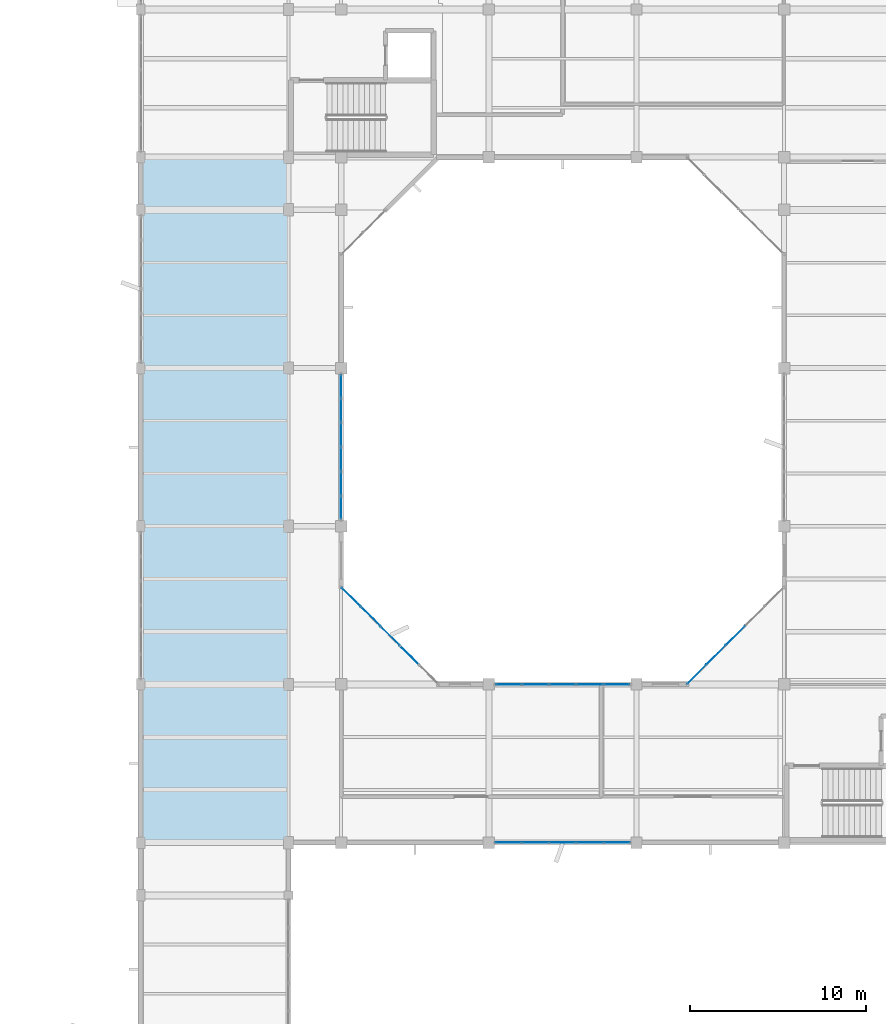
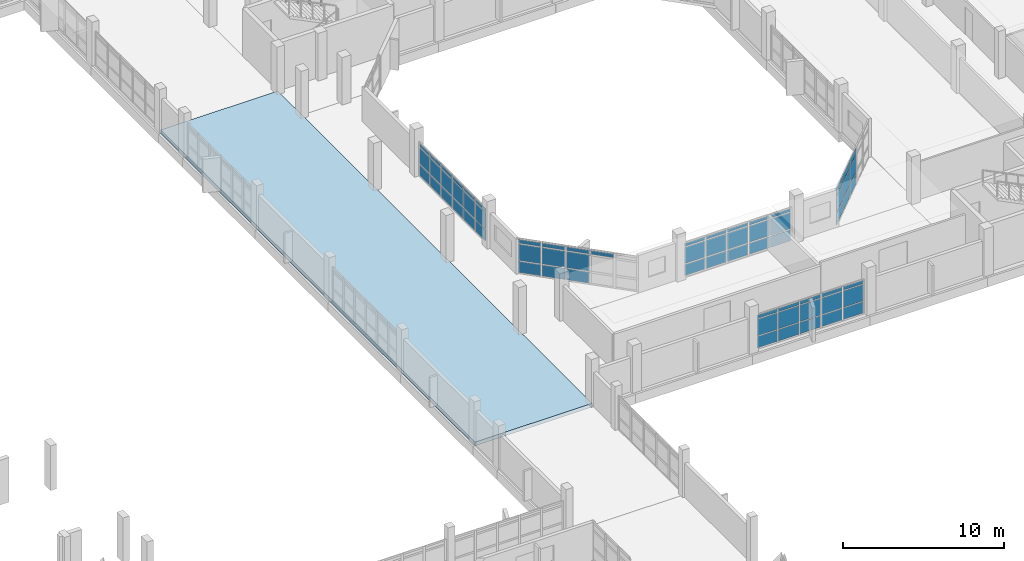
# One storey, part 52 of 104: 67 plates, 1 slab, 5 elements without a shape of their own.
"""IFC4 building model written with IfcOpenShell, lengths in metres."""

import ifcopenshell
import ifcopenshell.guid

model = None  # the IFC model being written
_history = None  # IfcOwnerHistory: only IFC2X3 demands one
_inside = {}  # id of a spatial element -> (the spatial element, [elements in it])
_under = {}  # id of a project, library or spatial element -> (it, [spatial elements below it])
_declared = {}  # id of a project -> (the project, [libraries it declares])
_typed = {}  # id of a type object -> (the type object, [elements of that type])
_made_of = {}  # id of a material, layer set ... -> (it, [elements and type objects made of it])


def new_model(schema):
    """Start an empty IFC model of exactly this schema.

    Asked for "IFC4X3", IfcOpenShell would pick the latest addendum, in which some entities
    have other attributes; the version numbers below select the first issue.
    IFC2X3 requires an IfcOwnerHistory on every rooted entity: one is made here for all.
    """
    global model, _history
    if schema == "IFC4X3":
        model = ifcopenshell.file(schema_version=(4, 3, 0, 0))
    else:
        model = ifcopenshell.file(schema=schema)
    _inside.clear()
    _under.clear()
    _declared.clear()
    _typed.clear()
    _made_of.clear()
    _history = None
    if model.schema == "IFC2X3":
        org = make("IfcOrganization", Name="unknown")
        user = make(
            "IfcPersonAndOrganization",
            ThePerson=make("IfcPerson", FamilyName="unknown"),
            TheOrganization=org,
        )
        app = make(
            "IfcApplication",
            ApplicationDeveloper=org,
            Version="unknown",
            ApplicationFullName="unknown",
            ApplicationIdentifier="unknown",
        )
        _history = make(
            "IfcOwnerHistory",
            OwningUser=user,
            OwningApplication=app,
            ChangeAction="ADDED",
            CreationDate=0,
        )
    return model


def make(cls, **values):
    """One entity of the class cls with the attributes given. An attribute that is None is left unset."""
    return model.create_entity(
        cls, **{name: value for name, value in values.items() if value is not None}
    )


def rooted(cls, **values):
    """An entity with a GlobalId (a new one), such as an element, a storey or a relation."""
    return make(cls, GlobalId=ifcopenshell.guid.new(), OwnerHistory=_history, **values)


def si_unit(unit_type, name, prefix=None):
    """IfcSIUnit, for example si_unit("LENGTHUNIT", "METRE", prefix="MILLI")."""
    return make("IfcSIUnit", UnitType=unit_type, Prefix=prefix, Name=name)


def assignment(units):
    """IfcUnitAssignment: the units of a project."""
    return None if units is None else make("IfcUnitAssignment", Units=units)


def point(xyz):
    """IfcCartesianPoint."""
    return None if xyz is None else make("IfcCartesianPoint", Coordinates=xyz)


def direction(xyz):
    """IfcDirection."""
    return None if xyz is None else make("IfcDirection", DirectionRatios=xyz)


def frame(location, z_axis=None, x_axis=None):
    """IfcAxis2Placement3D, a coordinate frame: its origin and axes. An axis left out is left unset."""
    return make(
        "IfcAxis2Placement3D",
        Location=point(location),
        Axis=direction(z_axis),
        RefDirection=direction(x_axis),
    )


def frame_2d(location, x_axis=None):
    """IfcAxis2Placement2D, a coordinate frame in the plane: its origin and x axis."""
    return make(
        "IfcAxis2Placement2D", Location=point(location), RefDirection=direction(x_axis)
    )


def origin():
    """The frame at (0, 0, 0) with its axes left unset."""
    return frame((0.0, 0.0, 0.0))


def origin_2d():
    """The frame at (0, 0) in the plane with its x axis left unset."""
    return frame_2d((0.0, 0.0))


def place(relative_to, where):
    """IfcLocalPlacement: puts the frame where relative to a parent placement (None: the world)."""
    return make(
        "IfcLocalPlacement", PlacementRelTo=relative_to, RelativePlacement=where
    )


def context(
    kind, dimensions, precision=None, world=None, true_north=None, identifier=None
):
    """IfcGeometricRepresentationContext, for example the 3D "Model" context."""
    return make(
        "IfcGeometricRepresentationContext",
        ContextIdentifier=identifier,
        ContextType=kind,
        CoordinateSpaceDimension=dimensions,
        Precision=precision,
        WorldCoordinateSystem=world,
        TrueNorth=true_north,
    )


def subcontext(parent, identifier, kind, view, scale=None):
    """IfcGeometricRepresentationSubContext, for example "Body" below "Model"."""
    return make(
        "IfcGeometricRepresentationSubContext",
        ContextIdentifier=identifier,
        ContextType=kind,
        ParentContext=parent,
        TargetScale=scale,
        TargetView=view,
    )


def project(units=None, contexts=None):
    """IfcProject with its units and contexts."""
    return rooted(
        "IfcProject",
        Name="project",
        RepresentationContexts=contexts,
        UnitsInContext=assignment(units),
    )


def spatial(cls, under=None, at=None, **own):
    """A site, building, storey or space (cls), placed at a placement, below another one or the project."""
    s = rooted(cls, ObjectPlacement=at, **own)
    if under is not None:
        _under.setdefault(under.id(), (under, []))[1].append(s)
    return s


def polyline(points):
    """IfcPolyline through the points."""
    return make("IfcPolyline", Points=[point(p) for p in points])


def profile(cls, at=None, kind="AREA", **sizes):
    """A parametric profile (cls). Its sizes go by their IFC names, for example OverallWidth=200.0."""
    return make(cls, ProfileType=kind, Position=at, **sizes)


def rectangle(**sizes):
    """IfcRectangleProfileDef."""
    return profile("IfcRectangleProfileDef", **sizes)


def outline(outer, holes=None, kind="AREA"):
    """IfcArbitraryClosedProfileDef: a profile drawn as a closed curve; with holes, ...WithVoids."""
    if holes is None:
        return make("IfcArbitraryClosedProfileDef", ProfileType=kind, OuterCurve=outer)
    return make(
        "IfcArbitraryProfileDefWithVoids",
        ProfileType=kind,
        OuterCurve=outer,
        InnerCurves=holes,
    )


def extrude(swept, where, along, depth):
    """IfcExtrudedAreaSolid: the profile swept, set in the frame where, extruded along a direction by depth."""
    return make(
        "IfcExtrudedAreaSolid",
        SweptArea=swept,
        Position=where,
        ExtrudedDirection=direction(along),
        Depth=depth,
    )


def shape(context_of_items, identifier, shape_type, items):
    """IfcShapeRepresentation: the items that make up one representation, for example the "Body"."""
    return make(
        "IfcShapeRepresentation",
        ContextOfItems=context_of_items,
        RepresentationIdentifier=identifier,
        RepresentationType=shape_type,
        Items=items,
    )


def material(Name=None, Category=None):
    """IfcMaterial."""
    return make("IfcMaterial", Name=Name, Category=Category)


def layer(
    of_material, thickness, ventilated=None, Name=None, Category=None, Priority=None
):
    """IfcMaterialLayer: one layer of a wall or slab, of a material (None: an air gap)."""
    return make(
        "IfcMaterialLayer",
        Material=of_material,
        LayerThickness=thickness,
        IsVentilated=ventilated,
        Name=Name,
        Category=Category,
        Priority=Priority,
    )


def layer_set(layers, Name=None):
    """IfcMaterialLayerSet."""
    return make("IfcMaterialLayerSet", MaterialLayers=layers, LayerSetName=Name)


def made_of(thing, what):
    """Note that an element or type object is made of a material, layer set ...; save() writes the relation."""
    if what is not None:
        _made_of.setdefault(what.id(), (what, []))[1].append(thing)
    return thing


def type_object(cls, material=None, **own):
    """A type object (cls), such as IfcWallType, which elements share."""
    return made_of(rooted(cls, **own), material)


def element(
    cls,
    number,
    at=None,
    inside=None,
    cuts=None,
    type_object=None,
    material=None,
    context=None,
    identifier="Body",
    shape_type=None,
    held_by="IfcProductDefinitionShape",
    body=None,
    shapes=None,
    **own,
):
    """One element of the class cls, such as IfcWall. Its Tag is "e" and its number.

    at: its placement. inside: the storey or other place that contains it. cuts: it is an
    opening in that element (IfcRelVoidsElement). A single representation is given by context,
    identifier, shape_type and body (its items); several are given by shapes. held_by: the class
    of the entity that holds the representations. save() writes the other relations.
    """
    e = rooted(cls, Tag="e%d" % number, ObjectPlacement=at, **own)
    if body is not None:
        shapes = [shape(context, identifier, shape_type, body)]
    if shapes is not None:
        e.Representation = make(held_by, Representations=shapes)
    if inside is not None:
        _inside.setdefault(inside.id(), (inside, []))[1].append(e)
    if cuts is not None:
        rooted(
            "IfcRelVoidsElement", RelatingBuildingElement=cuts, RelatedOpeningElement=e
        )
    if type_object is not None:
        _typed.setdefault(type_object.id(), (type_object, []))[1].append(e)
    return made_of(e, material)


def aggregate(whole, parts):
    """IfcRelAggregates: a whole, such as a stair, and the parts it consists of."""
    return rooted("IfcRelAggregates", RelatingObject=whole, RelatedObjects=parts)


def save(model, path):
    """Write the relations noted so far, then the file.

    IfcRelAggregates (storeys below a building ...), IfcRelContainedInSpatialStructure (elements
    in a storey), IfcRelDefinesByType, IfcRelAssociatesMaterial and IfcRelDeclares: one each for
    every whole, place, type object, material and project.
    """
    for whole, parts in _under.values():
        aggregate(whole, parts)
    for where, things in _inside.values():
        rooted(
            "IfcRelContainedInSpatialStructure",
            RelatedElements=things,
            RelatingStructure=where,
        )
    for kind, things in _typed.values():
        rooted("IfcRelDefinesByType", RelatedObjects=things, RelatingType=kind)
    for what, things in _made_of.values():
        rooted("IfcRelAssociatesMaterial", RelatedObjects=things, RelatingMaterial=what)
    for by, libraries in _declared.values():
        rooted("IfcRelDeclares", RelatingContext=by, RelatedDefinitions=libraries)
    model.write(path)


model = new_model("IFC4")

# Units and contexts
model_context = context("Model", 3, precision=1e-05, world=origin(), true_north=direction((0.0, 1.0)))
body_context = subcontext(model_context, "Body", "Model", "MODEL_VIEW")
ifc_project = project(units=[si_unit("LENGTHUNIT", "METRE"), si_unit("AREAUNIT", "SQUARE_METRE"), si_unit("VOLUMEUNIT", "CUBIC_METRE"), si_unit("PLANEANGLEUNIT", "RADIAN"), si_unit("MASSUNIT", "GRAM", prefix="KILO")], contexts=[model_context])

# Site, building, storey
site_placement = place(None, origin())
site = spatial("IfcSite", under=ifc_project, at=site_placement, CompositionType="ELEMENT")
building_placement = place(site_placement, origin())
building = spatial("IfcBuilding", under=site, at=building_placement, Name="Vanh Quang Courtyard School", CompositionType="ELEMENT")
storey_placement = place(building_placement, frame((0.0, 0.0, 4.199951171875)))
storey = spatial("IfcBuildingStorey", under=building, at=storey_placement, Name="L01", CompositionType="ELEMENT", Elevation=4.199951171875)

# Curtain wall, plates
ifc_material_1 = material(Name="Thermally broken aluminium unitised curtain wall", Category="aluminium")
curtain_wall_type_1 = type_object("IfcCurtainWallType", Name="CW-SYS-21", PredefinedType="NOTDEFINED", material=ifc_material_1)
curtain_wall_1_placement = place(storey_placement, origin())
curtain_wall_1 = element("IfcCurtainWall", 1, at=curtain_wall_1_placement, inside=storey, type_object=curtain_wall_type_1, Name="Curtain Wall CW-21 (L01)", PredefinedType="NOTDEFINED")
ifc_material_2 = material(Name="Low-E laminated double glazing", Category="glass")
ifc_layer_1 = layer(ifc_material_2, 0.028076171875)
ifc_layer_set_1 = layer_set([ifc_layer_1], Name="Low-E laminated double glazing")
plate_type_1 = type_object("IfcPlateType", Name="CW-PNL-28", PredefinedType="CURTAIN_PANEL", material=ifc_layer_set_1)
plate_1_placement = place(storey_placement, frame((56.478515625, 32.39990234375, 0.06005859375), z_axis=(0.0, 0.0, 1.0), x_axis=(-1.0, 0.0, 0.0)))
plate_1 = element("IfcPlate", 2, at=plate_1_placement, type_object=plate_type_1, Name="CW-21 panel 1.1", PredefinedType="CURTAIN_PANEL", context=body_context, shape_type="SweptSolid", body=[
    extrude(rectangle(XDim=1.456787109375, YDim=0.028076171875, at=origin_2d()), origin(), (0.0, 0.0, 1.0), 0.860107421875),
])
plate_2_placement = place(storey_placement, frame((56.478515625, 32.39990234375, 0.97998046875), z_axis=(0.0, 0.0, 1.0), x_axis=(-1.0, 0.0, 0.0)))
plate_2 = element("IfcPlate", 3, at=plate_2_placement, type_object=plate_type_1, Name="CW-21 panel 1.2", PredefinedType="CURTAIN_PANEL", context=body_context, shape_type="SweptSolid", body=[
    extrude(rectangle(XDim=1.456787109375, YDim=0.028076171875, at=origin_2d()), origin(), (0.0, 0.0, 1.0), 1.239990234375),
])
plate_3_placement = place(storey_placement, frame((56.478515625, 32.39990234375, 2.2802734375), z_axis=(0.0, 0.0, 1.0), x_axis=(-1.0, 0.0, 0.0)))
plate_3 = element("IfcPlate", 4, at=plate_3_placement, type_object=plate_type_1, Name="CW-21 panel 1.3", PredefinedType="CURTAIN_PANEL", context=body_context, shape_type="SweptSolid", body=[
    extrude(rectangle(XDim=1.456787109375, YDim=0.028076171875, at=origin_2d()), origin(), (0.0, 0.0, 1.0), 0.260009765625),
])
plate_4_placement = place(storey_placement, frame((54.94677734375, 32.39990234375, 0.06005859375), z_axis=(0.0, 0.0, 1.0), x_axis=(-1.0, 0.0, 0.0)))
plate_4 = element("IfcPlate", 5, at=plate_4_placement, type_object=plate_type_1, Name="CW-21 panel 2.1", PredefinedType="CURTAIN_PANEL", context=body_context, shape_type="SweptSolid", body=[
    extrude(rectangle(XDim=1.48681640625, YDim=0.028076171875, at=origin_2d()), origin(), (0.0, 0.0, 1.0), 0.860107421875),
])
plate_5_placement = place(storey_placement, frame((54.94677734375, 32.39990234375, 0.97998046875), z_axis=(0.0, 0.0, 1.0), x_axis=(-1.0, 0.0, 0.0)))
plate_5 = element("IfcPlate", 6, at=plate_5_placement, type_object=plate_type_1, Name="CW-21 panel 2.2", PredefinedType="CURTAIN_PANEL", context=body_context, shape_type="SweptSolid", body=[
    extrude(rectangle(XDim=1.48681640625, YDim=0.028076171875, at=origin_2d()), origin(), (0.0, 0.0, 1.0), 1.239990234375),
])
plate_6_placement = place(storey_placement, frame((54.94677734375, 32.39990234375, 2.2802734375), z_axis=(0.0, 0.0, 1.0), x_axis=(-1.0, 0.0, 0.0)))
plate_6 = element("IfcPlate", 7, at=plate_6_placement, type_object=plate_type_1, Name="CW-21 panel 2.3", PredefinedType="CURTAIN_PANEL", context=body_context, shape_type="SweptSolid", body=[
    extrude(rectangle(XDim=1.48681640625, YDim=0.028076171875, at=origin_2d()), origin(), (0.0, 0.0, 1.0), 0.260009765625),
])
plate_7_placement = place(storey_placement, frame((53.39990234375, 32.39990234375, 0.06005859375), z_axis=(0.0, 0.0, 1.0), x_axis=(-1.0, 0.0, 0.0)))
plate_7 = element("IfcPlate", 8, at=plate_7_placement, type_object=plate_type_1, Name="CW-21 panel 3.1", PredefinedType="CURTAIN_PANEL", context=body_context, shape_type="SweptSolid", body=[
    extrude(rectangle(XDim=1.48681640625, YDim=0.028076171875, at=origin_2d()), origin(), (0.0, 0.0, 1.0), 0.860107421875),
])
plate_8_placement = place(storey_placement, frame((53.39990234375, 32.39990234375, 0.97998046875), z_axis=(0.0, 0.0, 1.0), x_axis=(-1.0, 0.0, 0.0)))
plate_8 = element("IfcPlate", 9, at=plate_8_placement, type_object=plate_type_1, Name="CW-21 panel 3.2", PredefinedType="CURTAIN_PANEL", context=body_context, shape_type="SweptSolid", body=[
    extrude(rectangle(XDim=1.48681640625, YDim=0.028076171875, at=origin_2d()), origin(), (0.0, 0.0, 1.0), 1.239990234375),
])
plate_9_placement = place(storey_placement, frame((53.39990234375, 32.39990234375, 2.2802734375), z_axis=(0.0, 0.0, 1.0), x_axis=(-1.0, 0.0, 0.0)))
plate_9 = element("IfcPlate", 10, at=plate_9_placement, type_object=plate_type_1, Name="CW-21 panel 3.3", PredefinedType="CURTAIN_PANEL", context=body_context, shape_type="SweptSolid", body=[
    extrude(rectangle(XDim=1.48681640625, YDim=0.028076171875, at=origin_2d()), origin(), (0.0, 0.0, 1.0), 0.260009765625),
])
plate_10_placement = place(storey_placement, frame((51.853271484375, 32.39990234375, 0.06005859375), z_axis=(0.0, 0.0, 1.0), x_axis=(-1.0, 0.0, 0.0)))
plate_10 = element("IfcPlate", 11, at=plate_10_placement, type_object=plate_type_1, Name="CW-21 panel 4.1", PredefinedType="CURTAIN_PANEL", context=body_context, shape_type="SweptSolid", body=[
    extrude(rectangle(XDim=1.48681640625, YDim=0.028076171875, at=origin_2d()), origin(), (0.0, 0.0, 1.0), 0.860107421875),
])
plate_11_placement = place(storey_placement, frame((51.853271484375, 32.39990234375, 0.97998046875), z_axis=(0.0, 0.0, 1.0), x_axis=(-1.0, 0.0, 0.0)))
plate_11 = element("IfcPlate", 12, at=plate_11_placement, type_object=plate_type_1, Name="CW-21 panel 4.2", PredefinedType="CURTAIN_PANEL", context=body_context, shape_type="SweptSolid", body=[
    extrude(rectangle(XDim=1.48681640625, YDim=0.028076171875, at=origin_2d()), origin(), (0.0, 0.0, 1.0), 1.239990234375),
])
plate_12_placement = place(storey_placement, frame((51.853271484375, 32.39990234375, 2.2802734375), z_axis=(0.0, 0.0, 1.0), x_axis=(-1.0, 0.0, 0.0)))
plate_12 = element("IfcPlate", 13, at=plate_12_placement, type_object=plate_type_1, Name="CW-21 panel 4.3", PredefinedType="CURTAIN_PANEL", context=body_context, shape_type="SweptSolid", body=[
    extrude(rectangle(XDim=1.48681640625, YDim=0.028076171875, at=origin_2d()), origin(), (0.0, 0.0, 1.0), 0.260009765625),
])
plate_13_placement = place(storey_placement, frame((50.3212890625, 32.39990234375, 0.06005859375), z_axis=(0.0, 0.0, 1.0), x_axis=(-1.0, 0.0, 0.0)))
plate_13 = element("IfcPlate", 14, at=plate_13_placement, type_object=plate_type_1, Name="CW-21 panel 5.1", PredefinedType="CURTAIN_PANEL", context=body_context, shape_type="SweptSolid", body=[
    extrude(rectangle(XDim=1.456787109375, YDim=0.028076171875, at=origin_2d()), origin(), (0.0, 0.0, 1.0), 0.860107421875),
])
plate_14_placement = place(storey_placement, frame((50.3212890625, 32.39990234375, 0.97998046875), z_axis=(0.0, 0.0, 1.0), x_axis=(-1.0, 0.0, 0.0)))
plate_14 = element("IfcPlate", 15, at=plate_14_placement, type_object=plate_type_1, Name="CW-21 panel 5.2", PredefinedType="CURTAIN_PANEL", context=body_context, shape_type="SweptSolid", body=[
    extrude(rectangle(XDim=1.456787109375, YDim=0.028076171875, at=origin_2d()), origin(), (0.0, 0.0, 1.0), 1.239990234375),
])
plate_15_placement = place(storey_placement, frame((50.3212890625, 32.39990234375, 2.2802734375), z_axis=(0.0, 0.0, 1.0), x_axis=(-1.0, 0.0, 0.0)))
plate_15 = element("IfcPlate", 16, at=plate_15_placement, type_object=plate_type_1, Name="CW-21 panel 5.3", PredefinedType="CURTAIN_PANEL", context=body_context, shape_type="SweptSolid", body=[
    extrude(rectangle(XDim=1.456787109375, YDim=0.028076171875, at=origin_2d()), origin(), (0.0, 0.0, 1.0), 0.260009765625),
])
aggregate(curtain_wall_1, [plate_1, plate_2, plate_3, plate_4, plate_5, plate_6, plate_7, plate_8, plate_9, plate_10, plate_11, plate_12, plate_13, plate_14, plate_15])

curtain_wall_type_2 = type_object("IfcCurtainWallType", Name="CW-SYS-24", PredefinedType="NOTDEFINED", material=ifc_material_1)
curtain_wall_2_placement = place(storey_placement, origin())
curtain_wall_2 = element("IfcCurtainWall", 17, at=curtain_wall_2_placement, inside=storey, type_object=curtain_wall_type_2, Name="Curtain Wall CW-24 (L01)", PredefinedType="NOTDEFINED")
plate_16_placement = place(storey_placement, frame((41.36669921875, 46.377197265625, 0.06982421875), z_axis=(0.0, 0.0, 1.0), x_axis=(0.707106781187, -0.707106781187, 0.0)))
plate_16 = element("IfcPlate", 18, at=plate_16_placement, type_object=plate_type_1, Name="CW-24 panel 1.1", PredefinedType="CURTAIN_PANEL", context=body_context, shape_type="SweptSolid", body=[
    extrude(rectangle(XDim=1.463134765625, YDim=0.028076171875, at=origin_2d()), origin(), (0.0, 0.0, 1.0), 0.844970703125),
])
plate_17_placement = place(storey_placement, frame((41.36669921875, 46.377197265625, 0.985107421875), z_axis=(0.0, 0.0, 1.0), x_axis=(0.707106781187, -0.707106781187, 0.0)))
plate_17 = element("IfcPlate", 19, at=plate_17_placement, type_object=plate_type_1, Name="CW-24 panel 1.2", PredefinedType="CURTAIN_PANEL", context=body_context, shape_type="SweptSolid", body=[
    extrude(rectangle(XDim=1.463134765625, YDim=0.028076171875, at=origin_2d()), origin(), (0.0, 0.0, 1.0), 1.22998046875),
])
plate_18_placement = place(storey_placement, frame((41.36669921875, 46.377197265625, 2.28515625), z_axis=(0.0, 0.0, 1.0), x_axis=(0.707106781187, -0.707106781187, 0.0)))
plate_18 = element("IfcPlate", 20, at=plate_18_placement, type_object=plate_type_1, Name="CW-24 panel 1.3", PredefinedType="CURTAIN_PANEL", context=body_context, shape_type="SweptSolid", body=[
    extrude(rectangle(XDim=1.463134765625, YDim=0.028076171875, at=origin_2d()), origin(), (0.0, 0.0, 1.0), 0.294921875),
])
plate_19_placement = place(storey_placement, frame((42.463134765625, 45.28076171875, 0.06982421875), z_axis=(0.0, 0.0, 1.0), x_axis=(0.707106781187, -0.707106781187, 0.0)))
plate_19 = element("IfcPlate", 21, at=plate_19_placement, type_object=plate_type_1, Name="CW-24 panel 2.1", PredefinedType="CURTAIN_PANEL", context=body_context, shape_type="SweptSolid", body=[
    extrude(rectangle(XDim=1.498046875, YDim=0.028076171875, at=origin_2d()), origin(), (0.0, 0.0, 1.0), 0.844970703125),
])
plate_20_placement = place(storey_placement, frame((42.463134765625, 45.28076171875, 0.985107421875), z_axis=(0.0, 0.0, 1.0), x_axis=(0.707106781187, -0.707106781187, 0.0)))
plate_20 = element("IfcPlate", 22, at=plate_20_placement, type_object=plate_type_1, Name="CW-24 panel 2.2", PredefinedType="CURTAIN_PANEL", context=body_context, shape_type="SweptSolid", body=[
    extrude(rectangle(XDim=1.498046875, YDim=0.028076171875, at=origin_2d()), origin(), (0.0, 0.0, 1.0), 1.22998046875),
])
plate_21_placement = place(storey_placement, frame((42.463134765625, 45.28076171875, 2.28515625), z_axis=(0.0, 0.0, 1.0), x_axis=(0.707106781187, -0.707106781187, 0.0)))
plate_21 = element("IfcPlate", 23, at=plate_21_placement, type_object=plate_type_1, Name="CW-24 panel 2.3", PredefinedType="CURTAIN_PANEL", context=body_context, shape_type="SweptSolid", body=[
    extrude(rectangle(XDim=1.498046875, YDim=0.028076171875, at=origin_2d()), origin(), (0.0, 0.0, 1.0), 0.294921875),
])
plate_22_placement = place(storey_placement, frame((43.572021484375, 44.172119140625, 0.06982421875), z_axis=(0.0, 0.0, 1.0), x_axis=(0.707106781187, -0.707106781187, 0.0)))
plate_22 = element("IfcPlate", 24, at=plate_22_placement, type_object=plate_type_1, Name="CW-24 panel 3.1", PredefinedType="CURTAIN_PANEL", context=body_context, shape_type="SweptSolid", body=[
    extrude(rectangle(XDim=1.498046875, YDim=0.028076171875, at=origin_2d()), origin(), (0.0, 0.0, 1.0), 0.844970703125),
])
plate_23_placement = place(storey_placement, frame((43.572021484375, 44.172119140625, 0.985107421875), z_axis=(0.0, 0.0, 1.0), x_axis=(0.707106781187, -0.707106781187, 0.0)))
plate_23 = element("IfcPlate", 25, at=plate_23_placement, type_object=plate_type_1, Name="CW-24 panel 3.2", PredefinedType="CURTAIN_PANEL", context=body_context, shape_type="SweptSolid", body=[
    extrude(rectangle(XDim=1.498046875, YDim=0.028076171875, at=origin_2d()), origin(), (0.0, 0.0, 1.0), 1.22998046875),
])
plate_24_placement = place(storey_placement, frame((43.572021484375, 44.172119140625, 2.28515625), z_axis=(0.0, 0.0, 1.0), x_axis=(0.707106781187, -0.707106781187, 0.0)))
plate_24 = element("IfcPlate", 26, at=plate_24_placement, type_object=plate_type_1, Name="CW-24 panel 3.3", PredefinedType="CURTAIN_PANEL", context=body_context, shape_type="SweptSolid", body=[
    extrude(rectangle(XDim=1.498046875, YDim=0.028076171875, at=origin_2d()), origin(), (0.0, 0.0, 1.0), 0.294921875),
])
plate_25_placement = place(storey_placement, frame((44.680908203125, 43.063232421875, 2.28515625), z_axis=(0.0, 0.0, 1.0), x_axis=(0.707106781187, -0.707106781187, 0.0)))
plate_25 = element("IfcPlate", 27, at=plate_25_placement, type_object=plate_type_1, Name="CW-24 panel 4.3", PredefinedType="CURTAIN_PANEL", context=body_context, shape_type="SweptSolid", body=[
    extrude(rectangle(XDim=1.498046875, YDim=0.028076171875, at=origin_2d()), origin(), (0.0, 0.0, 1.0), 0.294921875),
])
aggregate(curtain_wall_2, [plate_16, plate_17, plate_18, plate_19, plate_20, plate_21, plate_22, plate_23, plate_24, plate_25])

curtain_wall_type_3 = type_object("IfcCurtainWallType", Name="CW-SYS-40", PredefinedType="NOTDEFINED", material=ifc_material_1)
curtain_wall_3_placement = place(storey_placement, origin())
curtain_wall_3 = element("IfcCurtainWall", 28, at=curtain_wall_3_placement, inside=storey, type_object=curtain_wall_type_3, Name="Curtain Wall CW-40 (L01)", PredefinedType="NOTDEFINED")
plate_26_placement = place(storey_placement, frame((61.02099609375, 41.965087890625, 0.06005859375), z_axis=(0.0, 0.0, 1.0), x_axis=(0.707106781187, 0.707106781187, 0.0)))
plate_26 = element("IfcPlate", 29, at=plate_26_placement, type_object=plate_type_1, Name="CW-40 panel 1.1", PredefinedType="CURTAIN_PANEL", context=body_context, shape_type="SweptSolid", body=[
    extrude(rectangle(XDim=1.47802734375, YDim=0.028076171875, at=origin_2d()), origin(), (0.0, 0.0, 1.0), 0.860107421875),
])
plate_27_placement = place(storey_placement, frame((61.02099609375, 41.965087890625, 0.97998046875), z_axis=(0.0, 0.0, 1.0), x_axis=(0.707106781187, 0.707106781187, 0.0)))
plate_27 = element("IfcPlate", 30, at=plate_27_placement, type_object=plate_type_1, Name="CW-40 panel 1.2", PredefinedType="CURTAIN_PANEL", context=body_context, shape_type="SweptSolid", body=[
    extrude(rectangle(XDim=1.47802734375, YDim=0.028076171875, at=origin_2d()), origin(), (0.0, 0.0, 1.0), 1.239990234375),
])
plate_28_placement = place(storey_placement, frame((61.02099609375, 41.965087890625, 2.2802734375), z_axis=(0.0, 0.0, 1.0), x_axis=(0.707106781187, 0.707106781187, 0.0)))
plate_28 = element("IfcPlate", 31, at=plate_28_placement, type_object=plate_type_1, Name="CW-40 panel 1.3", PredefinedType="CURTAIN_PANEL", context=body_context, shape_type="SweptSolid", body=[
    extrude(rectangle(XDim=1.47802734375, YDim=0.028076171875, at=origin_2d()), origin(), (0.0, 0.0, 1.0), 0.510009765625),
])
plate_29_placement = place(storey_placement, frame((62.119140625, 43.063232421875, 0.06005859375), z_axis=(0.0, 0.0, 1.0), x_axis=(0.707106781187, 0.707106781187, 0.0)))
plate_29 = element("IfcPlate", 32, at=plate_29_placement, type_object=plate_type_1, Name="CW-40 panel 2.1", PredefinedType="CURTAIN_PANEL", context=body_context, shape_type="SweptSolid", body=[
    extrude(rectangle(XDim=1.508056640625, YDim=0.028076171875, at=origin_2d()), origin(), (0.0, 0.0, 1.0), 0.860107421875),
])
plate_30_placement = place(storey_placement, frame((62.119140625, 43.063232421875, 0.97998046875), z_axis=(0.0, 0.0, 1.0), x_axis=(0.707106781187, 0.707106781187, 0.0)))
plate_30 = element("IfcPlate", 33, at=plate_30_placement, type_object=plate_type_1, Name="CW-40 panel 2.2", PredefinedType="CURTAIN_PANEL", context=body_context, shape_type="SweptSolid", body=[
    extrude(rectangle(XDim=1.508056640625, YDim=0.028076171875, at=origin_2d()), origin(), (0.0, 0.0, 1.0), 1.239990234375),
])
plate_31_placement = place(storey_placement, frame((62.119140625, 43.063232421875, 2.2802734375), z_axis=(0.0, 0.0, 1.0), x_axis=(0.707106781187, 0.707106781187, 0.0)))
plate_31 = element("IfcPlate", 34, at=plate_31_placement, type_object=plate_type_1, Name="CW-40 panel 2.3", PredefinedType="CURTAIN_PANEL", context=body_context, shape_type="SweptSolid", body=[
    extrude(rectangle(XDim=1.508056640625, YDim=0.028076171875, at=origin_2d()), origin(), (0.0, 0.0, 1.0), 0.510009765625),
])
plate_32_placement = place(storey_placement, frame((63.22802734375, 44.172119140625, 0.06005859375), z_axis=(0.0, 0.0, 1.0), x_axis=(0.707106781187, 0.707106781187, 0.0)))
plate_32 = element("IfcPlate", 35, at=plate_32_placement, type_object=plate_type_1, Name="CW-40 panel 3.1", PredefinedType="CURTAIN_PANEL", context=body_context, shape_type="SweptSolid", body=[
    extrude(rectangle(XDim=1.508056640625, YDim=0.028076171875, at=origin_2d()), origin(), (0.0, 0.0, 1.0), 0.860107421875),
])
plate_33_placement = place(storey_placement, frame((63.22802734375, 44.172119140625, 0.97998046875), z_axis=(0.0, 0.0, 1.0), x_axis=(0.707106781187, 0.707106781187, 0.0)))
plate_33 = element("IfcPlate", 36, at=plate_33_placement, type_object=plate_type_1, Name="CW-40 panel 3.2", PredefinedType="CURTAIN_PANEL", context=body_context, shape_type="SweptSolid", body=[
    extrude(rectangle(XDim=1.508056640625, YDim=0.028076171875, at=origin_2d()), origin(), (0.0, 0.0, 1.0), 1.239990234375),
])
plate_34_placement = place(storey_placement, frame((63.22802734375, 44.172119140625, 2.2802734375), z_axis=(0.0, 0.0, 1.0), x_axis=(0.707106781187, 0.707106781187, 0.0)))
plate_34 = element("IfcPlate", 37, at=plate_34_placement, type_object=plate_type_1, Name="CW-40 panel 3.3", PredefinedType="CURTAIN_PANEL", context=body_context, shape_type="SweptSolid", body=[
    extrude(rectangle(XDim=1.508056640625, YDim=0.028076171875, at=origin_2d()), origin(), (0.0, 0.0, 1.0), 0.510009765625),
])
aggregate(curtain_wall_3, [plate_26, plate_27, plate_28, plate_29, plate_30, plate_31, plate_32, plate_33, plate_34])

curtain_wall_4_placement = place(storey_placement, origin())
curtain_wall_4 = element("IfcCurtainWall", 38, at=curtain_wall_4_placement, inside=storey, type_object=curtain_wall_type_1, Name="Curtain Wall CW-21 (L01)", PredefinedType="NOTDEFINED")
ifc_layer_2 = layer(ifc_material_2, 0.031982421875)
ifc_layer_set_2 = layer_set([ifc_layer_2], Name="Low-E laminated double glazing")
plate_type_2 = type_object("IfcPlateType", Name="CW-PNL-32", PredefinedType="CURTAIN_PANEL", material=ifc_layer_set_2)
plate_35_placement = place(storey_placement, frame((50.326416015625, 41.39990234375, 0.080078125), z_axis=(0.0, 0.0, 1.0), x_axis=(1.0, 0.0, 0.0)))
plate_35 = element("IfcPlate", 39, at=plate_35_placement, type_object=plate_type_2, Name="CW-21 panel 1.1", PredefinedType="CURTAIN_PANEL", context=body_context, shape_type="SweptSolid", body=[
    extrude(rectangle(XDim=1.4267578125, YDim=0.031982421875, at=origin_2d()), origin(), (0.0, 0.0, 1.0), 0.830078125),
])
plate_36_placement = place(storey_placement, frame((50.326416015625, 41.39990234375, 0.990234375), z_axis=(0.0, 0.0, 1.0), x_axis=(1.0, 0.0, 0.0)))
plate_36 = element("IfcPlate", 40, at=plate_36_placement, type_object=plate_type_2, Name="CW-21 panel 1.2", PredefinedType="CURTAIN_PANEL", context=body_context, shape_type="SweptSolid", body=[
    extrude(rectangle(XDim=1.4267578125, YDim=0.031982421875, at=origin_2d()), origin(), (0.0, 0.0, 1.0), 1.219970703125),
])
plate_37_placement = place(storey_placement, frame((50.326416015625, 41.39990234375, 2.2900390625), z_axis=(0.0, 0.0, 1.0), x_axis=(1.0, 0.0, 0.0)))
plate_37 = element("IfcPlate", 41, at=plate_37_placement, type_object=plate_type_2, Name="CW-21 panel 1.3", PredefinedType="CURTAIN_PANEL", context=body_context, shape_type="SweptSolid", body=[
    extrude(rectangle(XDim=1.4267578125, YDim=0.031982421875, at=origin_2d()), origin(), (0.0, 0.0, 1.0), 0.22998046875),
])
plate_38_placement = place(storey_placement, frame((51.853271484375, 41.39990234375, 0.080078125), z_axis=(0.0, 0.0, 1.0), x_axis=(1.0, 0.0, 0.0)))
plate_38 = element("IfcPlate", 42, at=plate_38_placement, type_object=plate_type_2, Name="CW-21 panel 2.1", PredefinedType="CURTAIN_PANEL", context=body_context, shape_type="SweptSolid", body=[
    extrude(rectangle(XDim=1.466796875, YDim=0.031982421875, at=origin_2d()), origin(), (0.0, 0.0, 1.0), 0.830078125),
])
plate_39_placement = place(storey_placement, frame((51.853271484375, 41.39990234375, 0.990234375), z_axis=(0.0, 0.0, 1.0), x_axis=(1.0, 0.0, 0.0)))
plate_39 = element("IfcPlate", 43, at=plate_39_placement, type_object=plate_type_2, Name="CW-21 panel 2.2", PredefinedType="CURTAIN_PANEL", context=body_context, shape_type="SweptSolid", body=[
    extrude(rectangle(XDim=1.466796875, YDim=0.031982421875, at=origin_2d()), origin(), (0.0, 0.0, 1.0), 1.219970703125),
])
plate_40_placement = place(storey_placement, frame((51.853271484375, 41.39990234375, 2.2900390625), z_axis=(0.0, 0.0, 1.0), x_axis=(1.0, 0.0, 0.0)))
plate_40 = element("IfcPlate", 44, at=plate_40_placement, type_object=plate_type_2, Name="CW-21 panel 2.3", PredefinedType="CURTAIN_PANEL", context=body_context, shape_type="SweptSolid", body=[
    extrude(rectangle(XDim=1.466796875, YDim=0.031982421875, at=origin_2d()), origin(), (0.0, 0.0, 1.0), 0.22998046875),
])
plate_41_placement = place(storey_placement, frame((53.39990234375, 41.39990234375, 0.080078125), z_axis=(0.0, 0.0, 1.0), x_axis=(1.0, 0.0, 0.0)))
plate_41 = element("IfcPlate", 45, at=plate_41_placement, type_object=plate_type_2, Name="CW-21 panel 3.1", PredefinedType="CURTAIN_PANEL", context=body_context, shape_type="SweptSolid", body=[
    extrude(rectangle(XDim=1.466796875, YDim=0.031982421875, at=origin_2d()), origin(), (0.0, 0.0, 1.0), 0.830078125),
])
plate_42_placement = place(storey_placement, frame((53.39990234375, 41.39990234375, 0.990234375), z_axis=(0.0, 0.0, 1.0), x_axis=(1.0, 0.0, 0.0)))
plate_42 = element("IfcPlate", 46, at=plate_42_placement, type_object=plate_type_2, Name="CW-21 panel 3.2", PredefinedType="CURTAIN_PANEL", context=body_context, shape_type="SweptSolid", body=[
    extrude(rectangle(XDim=1.466796875, YDim=0.031982421875, at=origin_2d()), origin(), (0.0, 0.0, 1.0), 1.219970703125),
])
plate_43_placement = place(storey_placement, frame((53.39990234375, 41.39990234375, 2.2900390625), z_axis=(0.0, 0.0, 1.0), x_axis=(1.0, 0.0, 0.0)))
plate_43 = element("IfcPlate", 47, at=plate_43_placement, type_object=plate_type_2, Name="CW-21 panel 3.3", PredefinedType="CURTAIN_PANEL", context=body_context, shape_type="SweptSolid", body=[
    extrude(rectangle(XDim=1.466796875, YDim=0.031982421875, at=origin_2d()), origin(), (0.0, 0.0, 1.0), 0.22998046875),
])
plate_44_placement = place(storey_placement, frame((54.94677734375, 41.39990234375, 0.080078125), z_axis=(0.0, 0.0, 1.0), x_axis=(1.0, 0.0, 0.0)))
plate_44 = element("IfcPlate", 48, at=plate_44_placement, type_object=plate_type_2, Name="CW-21 panel 4.1", PredefinedType="CURTAIN_PANEL", context=body_context, shape_type="SweptSolid", body=[
    extrude(rectangle(XDim=1.466796875, YDim=0.031982421875, at=origin_2d()), origin(), (0.0, 0.0, 1.0), 0.830078125),
])
plate_45_placement = place(storey_placement, frame((54.94677734375, 41.39990234375, 0.990234375), z_axis=(0.0, 0.0, 1.0), x_axis=(1.0, 0.0, 0.0)))
plate_45 = element("IfcPlate", 49, at=plate_45_placement, type_object=plate_type_2, Name="CW-21 panel 4.2", PredefinedType="CURTAIN_PANEL", context=body_context, shape_type="SweptSolid", body=[
    extrude(rectangle(XDim=1.466796875, YDim=0.031982421875, at=origin_2d()), origin(), (0.0, 0.0, 1.0), 1.219970703125),
])
plate_46_placement = place(storey_placement, frame((54.94677734375, 41.39990234375, 2.2900390625), z_axis=(0.0, 0.0, 1.0), x_axis=(1.0, 0.0, 0.0)))
plate_46 = element("IfcPlate", 50, at=plate_46_placement, type_object=plate_type_2, Name="CW-21 panel 4.3", PredefinedType="CURTAIN_PANEL", context=body_context, shape_type="SweptSolid", body=[
    extrude(rectangle(XDim=1.466796875, YDim=0.031982421875, at=origin_2d()), origin(), (0.0, 0.0, 1.0), 0.22998046875),
])
plate_47_placement = place(storey_placement, frame((56.4736328125, 41.39990234375, 0.080078125), z_axis=(0.0, 0.0, 1.0), x_axis=(1.0, 0.0, 0.0)))
plate_47 = element("IfcPlate", 51, at=plate_47_placement, type_object=plate_type_2, Name="CW-21 panel 5.1", PredefinedType="CURTAIN_PANEL", context=body_context, shape_type="SweptSolid", body=[
    extrude(rectangle(XDim=1.4267578125, YDim=0.031982421875, at=origin_2d()), origin(), (0.0, 0.0, 1.0), 0.830078125),
])
plate_48_placement = place(storey_placement, frame((56.4736328125, 41.39990234375, 0.990234375), z_axis=(0.0, 0.0, 1.0), x_axis=(1.0, 0.0, 0.0)))
plate_48 = element("IfcPlate", 52, at=plate_48_placement, type_object=plate_type_2, Name="CW-21 panel 5.2", PredefinedType="CURTAIN_PANEL", context=body_context, shape_type="SweptSolid", body=[
    extrude(rectangle(XDim=1.4267578125, YDim=0.031982421875, at=origin_2d()), origin(), (0.0, 0.0, 1.0), 1.219970703125),
])
plate_49_placement = place(storey_placement, frame((56.4736328125, 41.39990234375, 2.2900390625), z_axis=(0.0, 0.0, 1.0), x_axis=(1.0, 0.0, 0.0)))
plate_49 = element("IfcPlate", 53, at=plate_49_placement, type_object=plate_type_2, Name="CW-21 panel 5.3", PredefinedType="CURTAIN_PANEL", context=body_context, shape_type="SweptSolid", body=[
    extrude(rectangle(XDim=1.4267578125, YDim=0.031982421875, at=origin_2d()), origin(), (0.0, 0.0, 1.0), 0.22998046875),
])
aggregate(curtain_wall_4, [plate_35, plate_36, plate_37, plate_38, plate_39, plate_40, plate_41, plate_42, plate_43, plate_44, plate_45, plate_46, plate_47, plate_48, plate_49])

curtain_wall_type_4 = type_object("IfcCurtainWallType", Name="CW-SYS-20", PredefinedType="NOTDEFINED", material=ifc_material_1)
curtain_wall_5_placement = place(storey_placement, origin())
curtain_wall_5 = element("IfcCurtainWall", 54, at=curtain_wall_5_placement, inside=storey, type_object=curtain_wall_type_4, Name="Curtain Wall CW-20 (L01)", PredefinedType="NOTDEFINED")
plate_50_placement = place(storey_placement, frame((40.800048828125, 58.3525390625, 0.080078125), z_axis=(0.0, 0.0, 1.0), x_axis=(0.0, -1.0, 0.0)))
plate_50 = element("IfcPlate", 55, at=plate_50_placement, type_object=plate_type_2, Name="CW-20 panel 1.1", PredefinedType="CURTAIN_PANEL", context=body_context, shape_type="SweptSolid", body=[
    extrude(rectangle(XDim=1.26904296875, YDim=0.031982421875, at=origin_2d()), origin(), (0.0, 0.0, 1.0), 0.830078125),
])
plate_51_placement = place(storey_placement, frame((40.800048828125, 58.3525390625, 0.990234375), z_axis=(0.0, 0.0, 1.0), x_axis=(0.0, -1.0, 0.0)))
plate_51 = element("IfcPlate", 56, at=plate_51_placement, type_object=plate_type_2, Name="CW-20 panel 1.2", PredefinedType="CURTAIN_PANEL", context=body_context, shape_type="SweptSolid", body=[
    extrude(rectangle(XDim=1.26904296875, YDim=0.031982421875, at=origin_2d()), origin(), (0.0, 0.0, 1.0), 1.219970703125),
])
plate_52_placement = place(storey_placement, frame((40.800048828125, 58.3525390625, 2.2900390625), z_axis=(0.0, 0.0, 1.0), x_axis=(0.0, -1.0, 0.0)))
plate_52 = element("IfcPlate", 57, at=plate_52_placement, type_object=plate_type_2, Name="CW-20 panel 1.3", PredefinedType="CURTAIN_PANEL", context=body_context, shape_type="SweptSolid", body=[
    extrude(rectangle(XDim=1.26904296875, YDim=0.031982421875, at=origin_2d()), origin(), (0.0, 0.0, 1.0), 0.22998046875),
])
plate_53_placement = place(storey_placement, frame((40.800048828125, 56.9833984375, 0.080078125), z_axis=(0.0, 0.0, 1.0), x_axis=(0.0, -1.0, 0.0)))
plate_53 = element("IfcPlate", 58, at=plate_53_placement, type_object=plate_type_2, Name="CW-20 panel 2.1", PredefinedType="CURTAIN_PANEL", context=body_context, shape_type="SweptSolid", body=[
    extrude(rectangle(XDim=1.30908203125, YDim=0.031982421875, at=origin_2d()), origin(), (0.0, 0.0, 1.0), 0.830078125),
])
plate_54_placement = place(storey_placement, frame((40.800048828125, 56.9833984375, 0.990234375), z_axis=(0.0, 0.0, 1.0), x_axis=(0.0, -1.0, 0.0)))
plate_54 = element("IfcPlate", 59, at=plate_54_placement, type_object=plate_type_2, Name="CW-20 panel 2.2", PredefinedType="CURTAIN_PANEL", context=body_context, shape_type="SweptSolid", body=[
    extrude(rectangle(XDim=1.30908203125, YDim=0.031982421875, at=origin_2d()), origin(), (0.0, 0.0, 1.0), 1.219970703125),
])
plate_55_placement = place(storey_placement, frame((40.800048828125, 56.9833984375, 2.2900390625), z_axis=(0.0, 0.0, 1.0), x_axis=(0.0, -1.0, 0.0)))
plate_55 = element("IfcPlate", 60, at=plate_55_placement, type_object=plate_type_2, Name="CW-20 panel 2.3", PredefinedType="CURTAIN_PANEL", context=body_context, shape_type="SweptSolid", body=[
    extrude(rectangle(XDim=1.30908203125, YDim=0.031982421875, at=origin_2d()), origin(), (0.0, 0.0, 1.0), 0.22998046875),
])
plate_56_placement = place(storey_placement, frame((40.800048828125, 55.594482421875, 0.080078125), z_axis=(0.0, 0.0, 1.0), x_axis=(0.0, -1.0, 0.0)))
plate_56 = element("IfcPlate", 61, at=plate_56_placement, type_object=plate_type_2, Name="CW-20 panel 3.1", PredefinedType="CURTAIN_PANEL", context=body_context, shape_type="SweptSolid", body=[
    extrude(rectangle(XDim=1.30908203125, YDim=0.031982421875, at=origin_2d()), origin(), (0.0, 0.0, 1.0), 0.830078125),
])
plate_57_placement = place(storey_placement, frame((40.800048828125, 55.594482421875, 0.990234375), z_axis=(0.0, 0.0, 1.0), x_axis=(0.0, -1.0, 0.0)))
plate_57 = element("IfcPlate", 62, at=plate_57_placement, type_object=plate_type_2, Name="CW-20 panel 3.2", PredefinedType="CURTAIN_PANEL", context=body_context, shape_type="SweptSolid", body=[
    extrude(rectangle(XDim=1.30908203125, YDim=0.031982421875, at=origin_2d()), origin(), (0.0, 0.0, 1.0), 1.219970703125),
])
plate_58_placement = place(storey_placement, frame((40.800048828125, 55.594482421875, 2.2900390625), z_axis=(0.0, 0.0, 1.0), x_axis=(0.0, -1.0, 0.0)))
plate_58 = element("IfcPlate", 63, at=plate_58_placement, type_object=plate_type_2, Name="CW-20 panel 3.3", PredefinedType="CURTAIN_PANEL", context=body_context, shape_type="SweptSolid", body=[
    extrude(rectangle(XDim=1.30908203125, YDim=0.031982421875, at=origin_2d()), origin(), (0.0, 0.0, 1.0), 0.22998046875),
])
plate_59_placement = place(storey_placement, frame((40.800048828125, 54.20556640625, 0.080078125), z_axis=(0.0, 0.0, 1.0), x_axis=(0.0, -1.0, 0.0)))
plate_59 = element("IfcPlate", 64, at=plate_59_placement, type_object=plate_type_2, Name="CW-20 panel 4.1", PredefinedType="CURTAIN_PANEL", context=body_context, shape_type="SweptSolid", body=[
    extrude(rectangle(XDim=1.30908203125, YDim=0.031982421875, at=origin_2d()), origin(), (0.0, 0.0, 1.0), 0.830078125),
])
plate_60_placement = place(storey_placement, frame((40.800048828125, 54.20556640625, 0.990234375), z_axis=(0.0, 0.0, 1.0), x_axis=(0.0, -1.0, 0.0)))
plate_60 = element("IfcPlate", 65, at=plate_60_placement, type_object=plate_type_2, Name="CW-20 panel 4.2", PredefinedType="CURTAIN_PANEL", context=body_context, shape_type="SweptSolid", body=[
    extrude(rectangle(XDim=1.30908203125, YDim=0.031982421875, at=origin_2d()), origin(), (0.0, 0.0, 1.0), 1.219970703125),
])
plate_61_placement = place(storey_placement, frame((40.800048828125, 54.20556640625, 2.2900390625), z_axis=(0.0, 0.0, 1.0), x_axis=(0.0, -1.0, 0.0)))
plate_61 = element("IfcPlate", 66, at=plate_61_placement, type_object=plate_type_2, Name="CW-20 panel 4.3", PredefinedType="CURTAIN_PANEL", context=body_context, shape_type="SweptSolid", body=[
    extrude(rectangle(XDim=1.30908203125, YDim=0.031982421875, at=origin_2d()), origin(), (0.0, 0.0, 1.0), 0.22998046875),
])
plate_62_placement = place(storey_placement, frame((40.800048828125, 52.81640625, 0.080078125), z_axis=(0.0, 0.0, 1.0), x_axis=(0.0, -1.0, 0.0)))
plate_62 = element("IfcPlate", 67, at=plate_62_placement, type_object=plate_type_2, Name="CW-20 panel 5.1", PredefinedType="CURTAIN_PANEL", context=body_context, shape_type="SweptSolid", body=[
    extrude(rectangle(XDim=1.30908203125, YDim=0.031982421875, at=origin_2d()), origin(), (0.0, 0.0, 1.0), 0.830078125),
])
plate_63_placement = place(storey_placement, frame((40.800048828125, 52.81640625, 0.990234375), z_axis=(0.0, 0.0, 1.0), x_axis=(0.0, -1.0, 0.0)))
plate_63 = element("IfcPlate", 68, at=plate_63_placement, type_object=plate_type_2, Name="CW-20 panel 5.2", PredefinedType="CURTAIN_PANEL", context=body_context, shape_type="SweptSolid", body=[
    extrude(rectangle(XDim=1.30908203125, YDim=0.031982421875, at=origin_2d()), origin(), (0.0, 0.0, 1.0), 1.219970703125),
])
plate_64_placement = place(storey_placement, frame((40.800048828125, 52.81640625, 2.2900390625), z_axis=(0.0, 0.0, 1.0), x_axis=(0.0, -1.0, 0.0)))
plate_64 = element("IfcPlate", 69, at=plate_64_placement, type_object=plate_type_2, Name="CW-20 panel 5.3", PredefinedType="CURTAIN_PANEL", context=body_context, shape_type="SweptSolid", body=[
    extrude(rectangle(XDim=1.30908203125, YDim=0.031982421875, at=origin_2d()), origin(), (0.0, 0.0, 1.0), 0.22998046875),
])
plate_65_placement = place(storey_placement, frame((40.800048828125, 51.447509765625, 0.080078125), z_axis=(0.0, 0.0, 1.0), x_axis=(0.0, -1.0, 0.0)))
plate_65 = element("IfcPlate", 70, at=plate_65_placement, type_object=plate_type_2, Name="CW-20 panel 6.1", PredefinedType="CURTAIN_PANEL", context=body_context, shape_type="SweptSolid", body=[
    extrude(rectangle(XDim=1.26904296875, YDim=0.031982421875, at=origin_2d()), origin(), (0.0, 0.0, 1.0), 0.830078125),
])
plate_66_placement = place(storey_placement, frame((40.800048828125, 51.447509765625, 0.990234375), z_axis=(0.0, 0.0, 1.0), x_axis=(0.0, -1.0, 0.0)))
plate_66 = element("IfcPlate", 71, at=plate_66_placement, type_object=plate_type_2, Name="CW-20 panel 6.2", PredefinedType="CURTAIN_PANEL", context=body_context, shape_type="SweptSolid", body=[
    extrude(rectangle(XDim=1.26904296875, YDim=0.031982421875, at=origin_2d()), origin(), (0.0, 0.0, 1.0), 1.219970703125),
])
plate_67_placement = place(storey_placement, frame((40.800048828125, 51.447509765625, 2.2900390625), z_axis=(0.0, 0.0, 1.0), x_axis=(0.0, -1.0, 0.0)))
plate_67 = element("IfcPlate", 72, at=plate_67_placement, type_object=plate_type_2, Name="CW-20 panel 6.3", PredefinedType="CURTAIN_PANEL", context=body_context, shape_type="SweptSolid", body=[
    extrude(rectangle(XDim=1.26904296875, YDim=0.031982421875, at=origin_2d()), origin(), (0.0, 0.0, 1.0), 0.22998046875),
])
aggregate(curtain_wall_5, [plate_50, plate_51, plate_52, plate_53, plate_54, plate_55, plate_56, plate_57, plate_58, plate_59, plate_60, plate_61, plate_62, plate_63, plate_64, plate_65, plate_66, plate_67])

# Slab
ifc_material_3 = material(Name="Concrete C30/37", Category="concrete")
ifc_layer_3 = layer(ifc_material_3, 0.280029296875)
ifc_layer_set_3 = layer_set([ifc_layer_3], Name="Concrete C30/37")
slab_type = type_object("IfcSlabType", Name="SLB-FLR-280", PredefinedType="FLOOR", material=ifc_layer_set_3)
slab_placement = place(storey_placement, frame((0.0, 0.0, -0.280029296875)))
element("IfcSlab", 73, at=slab_placement, inside=storey, type_object=slab_type, Name="Slab SF-02 (L01)", PredefinedType="FLOOR", context=body_context, shape_type="SweptSolid", body=[
    extrude(outline(polyline([(29.39990234375, 71.39990234375), (29.39990234375, 32.39990234375), (37.800048828125, 32.39990234375), (37.800048828125, 71.39990234375), (29.39990234375, 71.39990234375)])), origin(), (0.0, 0.0, 1.0), 0.280029296875),
])

save(model, "model.ifc")
